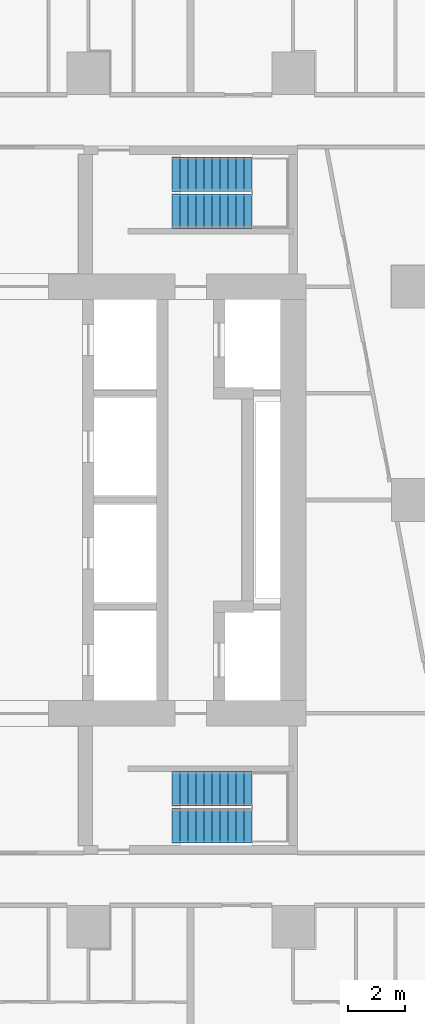
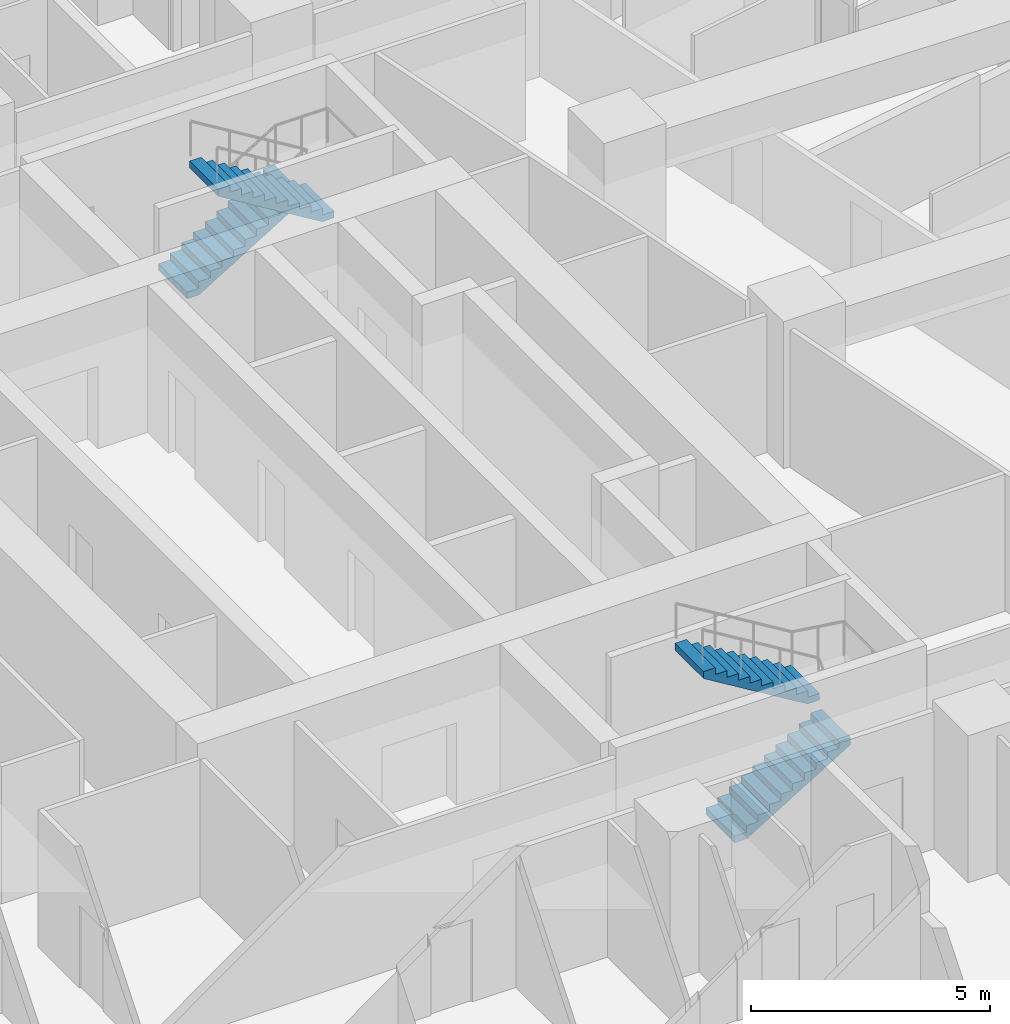
# One storey, part 13 of 15: 4 stair flights, 2 elements without a shape of their own.
"""IFC4 building model written with IfcOpenShell, lengths in metres."""

from ifc_helpers import new_model, si_unit, direction, frame, origin, place, context, subcontext, project, spatial, triangles, material, type_object, element, aggregate, save


model = new_model("IFC4")

# Units and contexts
model_context = context("Model", 3, precision=1e-05, world=origin(), true_north=direction((0.0, 1.0)))
body_context = subcontext(model_context, "Body", "Model", "MODEL_VIEW")
ifc_project = project(units=[si_unit("LENGTHUNIT", "METRE"), si_unit("AREAUNIT", "SQUARE_METRE"), si_unit("VOLUMEUNIT", "CUBIC_METRE"), si_unit("PLANEANGLEUNIT", "RADIAN"), si_unit("MASSUNIT", "GRAM", prefix="KILO")], contexts=[model_context])

# Site, building, storey
site_placement = place(None, origin())
site = spatial("IfcSite", under=ifc_project, at=site_placement, CompositionType="ELEMENT")
building_placement = place(site_placement, origin())
building = spatial("IfcBuilding", under=site, at=building_placement, Name="Sheger Commons Tower", CompositionType="ELEMENT")
storey_placement = place(building_placement, frame((0.0, 0.0, 147.050048828125)))
storey = spatial("IfcBuildingStorey", under=building, at=storey_placement, Name="L37", CompositionType="ELEMENT", Elevation=147.050048828125)

# Stair, stair flights
ifc_material_1 = material(Name="Concrete C35/45", Category="concrete")
stair_type = type_object("IfcStairType", Name="HALF-TURN STAIR 1200 RISE 3750", PredefinedType="HALF_TURN_STAIR", material=ifc_material_1)
stair_1_placement = place(storey_placement, origin())
stair_1 = element("IfcStair", 1, at=stair_1_placement, inside=storey, type_object=stair_type, Name="Stair S1 L37", PredefinedType="HALF_TURN_STAIR")
ifc_material_2 = material(Name="Concrete C35/45", Category="concrete")
stair_flight_type = type_object("IfcStairFlightType", Name="STAIR FLIGHT 1200 11 RISERS OF 170", PredefinedType="STRAIGHT", material=ifc_material_2)
stair_flight_1_placement = place(storey_placement, frame((24.550048828125, 11.050048828125, 0.0), z_axis=(0.0, 0.0, 1.0), x_axis=(1.0, 0.0, 0.0)))
stair_flight_1 = element("IfcStairFlight", 2, at=stair_flight_1_placement, type_object=stair_flight_type, Name="S1 flight 1", NumberOfRisers=11, NumberOfTreads=10, PredefinedType="STRAIGHT", RiserHeight=0.170454545, TreadLength=0.28, context=body_context, shape_type="Tessellation", body=[
    triangles([(0.0, 0.5999755859375, 0.0), (0.0, 0.5999755859375, 0.17041015625), (0.280029296875, 0.5999755859375, 0.17041015625), (0.280029296875, 0.5999755859375, 0.3408203125), (0.56005859375, 0.5999755859375, 0.3408203125), (0.56005859375, 0.5999755859375, 0.511474609375), (0.840087890625, 0.5999755859375, 0.511474609375), (0.840087890625, 0.5999755859375, 0.681884765625), (1.1201171875, 0.5999755859375, 0.681884765625), (1.1201171875, 0.5999755859375, 0.852294921875), (1.39990234375, 0.5999755859375, 0.852294921875), (1.39990234375, 0.5999755859375, 1.022705078125), (1.679931640625, 0.5999755859375, 1.022705078125), (1.679931640625, 0.5999755859375, 1.193115234375), (1.9599609375, 0.5999755859375, 1.193115234375), (1.9599609375, 0.5999755859375, 1.363525390625), (2.239990234375, 0.5999755859375, 1.363525390625), (2.239990234375, 0.5999755859375, 1.5341796875), (2.52001953125, 0.5999755859375, 1.5341796875), (2.52001953125, 0.5999755859375, 1.70458984375), (2.800048828125, 0.5999755859375, 1.70458984375), (2.800048828125, 0.5999755859375, 1.529052734375), (0.288330078125, 0.5999755859375, 0.0), (0.0, -0.5999755859375, 0.0), (0.0, -0.5999755859375, 0.17041015625), (0.280029296875, -0.5999755859375, 0.17041015625), (0.280029296875, -0.5999755859375, 0.3408203125), (0.56005859375, -0.5999755859375, 0.3408203125), (0.56005859375, -0.5999755859375, 0.511474609375), (0.840087890625, -0.5999755859375, 0.511474609375), (0.840087890625, -0.5999755859375, 0.681884765625), (1.1201171875, -0.5999755859375, 0.681884765625), (1.1201171875, -0.5999755859375, 0.852294921875), (1.39990234375, -0.5999755859375, 0.852294921875), (1.39990234375, -0.5999755859375, 1.022705078125), (1.679931640625, -0.5999755859375, 1.022705078125), (1.679931640625, -0.5999755859375, 1.193115234375), (1.9599609375, -0.5999755859375, 1.193115234375), (1.9599609375, -0.5999755859375, 1.363525390625), (2.239990234375, -0.5999755859375, 1.363525390625), (2.239990234375, -0.5999755859375, 1.5341796875), (2.52001953125, -0.5999755859375, 1.5341796875), (2.52001953125, -0.5999755859375, 1.70458984375), (2.800048828125, -0.5999755859375, 1.70458984375), (2.800048828125, -0.5999755859375, 1.529052734375), (0.288330078125, -0.5999755859375, 0.0), (0.0, 0.0, 0.085205078125), (0.1400146484375, 0.0, 0.17041015625), (0.280029296875, 0.0, 0.255615234375), (0.4200439453125, 0.0, 0.3408203125), (0.56005859375, 0.0, 0.4261474609375), (0.7000732421875, 0.0, 0.511474609375), (0.840087890625, 0.0, 0.5966796875), (0.9801025390625, 0.0, 0.681884765625), (1.1201171875, 0.0, 0.76708984375), (1.260009765625, 0.0, 0.852294921875), (1.39990234375, 0.0, 0.9375), (1.5399169921875, 0.0, 1.022705078125), (1.679931640625, 0.0, 1.10791015625), (1.8199462890625, 0.0, 1.193115234375), (1.9599609375, 0.0, 1.2783203125), (2.0999755859375, 0.0, 1.363525390625), (2.239990234375, 0.0, 1.4488525390625), (2.3800048828125, 0.0, 1.5341796875), (2.52001953125, 0.0, 1.619384765625), (2.6600341796875, 0.0, 1.70458984375), (2.800048828125, 0.0, 1.6168212890625), (1.544189453125, 0.0, 0.7645263671875), (0.1441650390625, 0.0, 0.0)], [[1, 22, 23], [24, 46, 45], [22, 20, 21], [45, 44, 43], [22, 19, 20], [45, 43, 42], [22, 18, 19], [45, 42, 41], [22, 17, 18], [45, 41, 40], [17, 15, 16], [40, 39, 38], [22, 15, 17], [45, 40, 38], [15, 13, 14], [38, 37, 36], [22, 13, 15], [45, 38, 36], [13, 11, 12], [36, 35, 34], [22, 11, 13], [45, 36, 34], [11, 9, 10], [34, 33, 32], [22, 9, 11], [45, 34, 32], [9, 7, 8], [32, 31, 30], [22, 7, 9], [45, 32, 30], [7, 5, 6], [30, 29, 28], [22, 5, 7], [45, 30, 28], [5, 3, 4], [28, 27, 26], [22, 3, 5], [45, 28, 26], [1, 3, 22], [24, 45, 26], [3, 1, 2], [26, 25, 24], [1, 47, 2], [2, 47, 25], [25, 47, 24], [24, 47, 1], [2, 48, 3], [3, 48, 26], [26, 48, 25], [25, 48, 2], [3, 49, 4], [4, 49, 27], [27, 49, 26], [26, 49, 3], [4, 50, 5], [5, 50, 28], [28, 50, 27], [27, 50, 4], [5, 51, 6], [6, 51, 29], [29, 51, 28], [28, 51, 5], [6, 52, 7], [7, 52, 30], [30, 52, 29], [29, 52, 6], [7, 53, 8], [8, 53, 31], [31, 53, 30], [30, 53, 7], [8, 54, 9], [9, 54, 32], [32, 54, 31], [31, 54, 8], [9, 55, 10], [10, 55, 33], [33, 55, 32], [32, 55, 9], [10, 56, 11], [11, 56, 34], [34, 56, 33], [33, 56, 10], [11, 57, 12], [12, 57, 35], [35, 57, 34], [34, 57, 11], [12, 58, 13], [13, 58, 36], [36, 58, 35], [35, 58, 12], [13, 59, 14], [14, 59, 37], [37, 59, 36], [36, 59, 13], [14, 60, 15], [15, 60, 38], [38, 60, 37], [37, 60, 14], [15, 61, 16], [16, 61, 39], [39, 61, 38], [38, 61, 15], [16, 62, 17], [17, 62, 40], [40, 62, 39], [39, 62, 16], [17, 63, 18], [18, 63, 41], [41, 63, 40], [40, 63, 17], [18, 64, 19], [19, 64, 42], [42, 64, 41], [41, 64, 18], [19, 65, 20], [20, 65, 43], [43, 65, 42], [42, 65, 19], [20, 66, 21], [21, 66, 44], [44, 66, 43], [43, 66, 20], [21, 67, 22], [22, 67, 45], [45, 67, 44], [44, 67, 21], [22, 68, 23], [23, 68, 46], [46, 68, 45], [45, 68, 22], [23, 69, 1], [1, 69, 24], [24, 69, 46], [46, 69, 23]], closed=True),
])
stair_flight_2_placement = place(storey_placement, frame((27.35009765625, 12.35009765625, 1.875), z_axis=(0.0, 0.0, 1.0), x_axis=(-1.0, 0.0, 0.0)))
stair_flight_2 = element("IfcStairFlight", 3, at=stair_flight_2_placement, type_object=stair_flight_type, Name="S1 flight 2", NumberOfRisers=11, NumberOfTreads=10, PredefinedType="STRAIGHT", RiserHeight=0.170454545, TreadLength=0.28, context=body_context, shape_type="Tessellation", body=[
    triangles([(0.0, 0.5999755859375, 0.0), (0.0, 0.5999755859375, 0.17041015625), (0.280029296875, 0.5999755859375, 0.17041015625), (0.280029296875, 0.5999755859375, 0.3408203125), (0.56005859375, 0.5999755859375, 0.3408203125), (0.56005859375, 0.5999755859375, 0.511474609375), (0.840087890625, 0.5999755859375, 0.511474609375), (0.840087890625, 0.5999755859375, 0.681884765625), (1.1201171875, 0.5999755859375, 0.681884765625), (1.1201171875, 0.5999755859375, 0.852294921875), (1.39990234375, 0.5999755859375, 0.852294921875), (1.39990234375, 0.5999755859375, 1.022705078125), (1.679931640625, 0.5999755859375, 1.022705078125), (1.679931640625, 0.5999755859375, 1.193115234375), (1.9599609375, 0.5999755859375, 1.193115234375), (1.9599609375, 0.5999755859375, 1.363525390625), (2.239990234375, 0.5999755859375, 1.363525390625), (2.239990234375, 0.5999755859375, 1.5341796875), (2.52001953125, 0.5999755859375, 1.5341796875), (2.52001953125, 0.5999755859375, 1.70458984375), (2.800048828125, 0.5999755859375, 1.70458984375), (2.800048828125, 0.5999755859375, 1.529052734375), (0.288330078125, 0.5999755859375, 0.0), (0.0, -0.5999755859375, 0.0), (0.0, -0.5999755859375, 0.17041015625), (0.280029296875, -0.5999755859375, 0.17041015625), (0.280029296875, -0.5999755859375, 0.3408203125), (0.56005859375, -0.5999755859375, 0.3408203125), (0.56005859375, -0.5999755859375, 0.511474609375), (0.840087890625, -0.5999755859375, 0.511474609375), (0.840087890625, -0.5999755859375, 0.681884765625), (1.1201171875, -0.5999755859375, 0.681884765625), (1.1201171875, -0.5999755859375, 0.852294921875), (1.39990234375, -0.5999755859375, 0.852294921875), (1.39990234375, -0.5999755859375, 1.022705078125), (1.679931640625, -0.5999755859375, 1.022705078125), (1.679931640625, -0.5999755859375, 1.193115234375), (1.9599609375, -0.5999755859375, 1.193115234375), (1.9599609375, -0.5999755859375, 1.363525390625), (2.239990234375, -0.5999755859375, 1.363525390625), (2.239990234375, -0.5999755859375, 1.5341796875), (2.52001953125, -0.5999755859375, 1.5341796875), (2.52001953125, -0.5999755859375, 1.70458984375), (2.800048828125, -0.5999755859375, 1.70458984375), (2.800048828125, -0.5999755859375, 1.529052734375), (0.288330078125, -0.5999755859375, 0.0), (0.0, 0.0, 0.085205078125), (0.1400146484375, 0.0, 0.17041015625), (0.280029296875, 0.0, 0.255615234375), (0.4200439453125, 0.0, 0.3408203125), (0.56005859375, 0.0, 0.4261474609375), (0.7000732421875, 0.0, 0.511474609375), (0.840087890625, 0.0, 0.5966796875), (0.9801025390625, 0.0, 0.681884765625), (1.1201171875, 0.0, 0.76708984375), (1.260009765625, 0.0, 0.852294921875), (1.39990234375, 0.0, 0.9375), (1.5399169921875, 0.0, 1.022705078125), (1.679931640625, 0.0, 1.10791015625), (1.8199462890625, 0.0, 1.193115234375), (1.9599609375, 0.0, 1.2783203125), (2.0999755859375, 0.0, 1.363525390625), (2.239990234375, 0.0, 1.4488525390625), (2.3800048828125, 0.0, 1.5341796875), (2.52001953125, 0.0, 1.619384765625), (2.6600341796875, 0.0, 1.70458984375), (2.800048828125, 0.0, 1.6168212890625), (1.544189453125, 0.0, 0.7645263671875), (0.1441650390625, 0.0, 0.0)], [[1, 22, 23], [24, 46, 45], [22, 20, 21], [45, 44, 43], [22, 19, 20], [45, 43, 42], [22, 18, 19], [45, 42, 41], [22, 17, 18], [45, 41, 40], [17, 15, 16], [40, 39, 38], [22, 15, 17], [45, 40, 38], [15, 13, 14], [38, 37, 36], [22, 13, 15], [45, 38, 36], [13, 11, 12], [36, 35, 34], [22, 11, 13], [45, 36, 34], [11, 9, 10], [34, 33, 32], [22, 9, 11], [45, 34, 32], [9, 7, 8], [32, 31, 30], [22, 7, 9], [45, 32, 30], [7, 5, 6], [30, 29, 28], [22, 5, 7], [45, 30, 28], [5, 3, 4], [28, 27, 26], [22, 3, 5], [45, 28, 26], [1, 3, 22], [24, 45, 26], [3, 1, 2], [26, 25, 24], [1, 47, 2], [2, 47, 25], [25, 47, 24], [24, 47, 1], [2, 48, 3], [3, 48, 26], [26, 48, 25], [25, 48, 2], [3, 49, 4], [4, 49, 27], [27, 49, 26], [26, 49, 3], [4, 50, 5], [5, 50, 28], [28, 50, 27], [27, 50, 4], [5, 51, 6], [6, 51, 29], [29, 51, 28], [28, 51, 5], [6, 52, 7], [7, 52, 30], [30, 52, 29], [29, 52, 6], [7, 53, 8], [8, 53, 31], [31, 53, 30], [30, 53, 7], [8, 54, 9], [9, 54, 32], [32, 54, 31], [31, 54, 8], [9, 55, 10], [10, 55, 33], [33, 55, 32], [32, 55, 9], [10, 56, 11], [11, 56, 34], [34, 56, 33], [33, 56, 10], [11, 57, 12], [12, 57, 35], [35, 57, 34], [34, 57, 11], [12, 58, 13], [13, 58, 36], [36, 58, 35], [35, 58, 12], [13, 59, 14], [14, 59, 37], [37, 59, 36], [36, 59, 13], [14, 60, 15], [15, 60, 38], [38, 60, 37], [37, 60, 14], [15, 61, 16], [16, 61, 39], [39, 61, 38], [38, 61, 15], [16, 62, 17], [17, 62, 40], [40, 62, 39], [39, 62, 16], [17, 63, 18], [18, 63, 41], [41, 63, 40], [40, 63, 17], [18, 64, 19], [19, 64, 42], [42, 64, 41], [41, 64, 18], [19, 65, 20], [20, 65, 43], [43, 65, 42], [42, 65, 19], [20, 66, 21], [21, 66, 44], [44, 66, 43], [43, 66, 20], [21, 67, 22], [22, 67, 45], [45, 67, 44], [44, 67, 21], [22, 68, 23], [23, 68, 46], [46, 68, 45], [45, 68, 22], [23, 69, 1], [1, 69, 24], [24, 69, 46], [46, 69, 23]], closed=True),
])
aggregate(stair_1, [stair_flight_1, stair_flight_2])

stair_2_placement = place(storey_placement, origin())
stair_2 = element("IfcStair", 4, at=stair_2_placement, inside=storey, type_object=stair_type, Name="Stair S2 L37", PredefinedType="HALF_TURN_STAIR")
stair_flight_3_placement = place(storey_placement, frame((24.550048828125, 33.949951171875, 0.0), z_axis=(0.0, 0.0, 1.0), x_axis=(1.0, 0.0, 0.0)))
stair_flight_3 = element("IfcStairFlight", 5, at=stair_flight_3_placement, type_object=stair_flight_type, Name="S2 flight 1", NumberOfRisers=11, NumberOfTreads=10, PredefinedType="STRAIGHT", RiserHeight=0.170454545, TreadLength=0.28, context=body_context, shape_type="Tessellation", body=[
    triangles([(0.0, 0.5999755859375, 0.0), (0.0, 0.5999755859375, 0.17041015625), (0.280029296875, 0.5999755859375, 0.17041015625), (0.280029296875, 0.5999755859375, 0.3408203125), (0.56005859375, 0.5999755859375, 0.3408203125), (0.56005859375, 0.5999755859375, 0.511474609375), (0.840087890625, 0.5999755859375, 0.511474609375), (0.840087890625, 0.5999755859375, 0.681884765625), (1.1201171875, 0.5999755859375, 0.681884765625), (1.1201171875, 0.5999755859375, 0.852294921875), (1.39990234375, 0.5999755859375, 0.852294921875), (1.39990234375, 0.5999755859375, 1.022705078125), (1.679931640625, 0.5999755859375, 1.022705078125), (1.679931640625, 0.5999755859375, 1.193115234375), (1.9599609375, 0.5999755859375, 1.193115234375), (1.9599609375, 0.5999755859375, 1.363525390625), (2.239990234375, 0.5999755859375, 1.363525390625), (2.239990234375, 0.5999755859375, 1.5341796875), (2.52001953125, 0.5999755859375, 1.5341796875), (2.52001953125, 0.5999755859375, 1.70458984375), (2.800048828125, 0.5999755859375, 1.70458984375), (2.800048828125, 0.5999755859375, 1.529052734375), (0.288330078125, 0.5999755859375, 0.0), (0.0, -0.5999755859375, 0.0), (0.0, -0.5999755859375, 0.17041015625), (0.280029296875, -0.5999755859375, 0.17041015625), (0.280029296875, -0.5999755859375, 0.3408203125), (0.56005859375, -0.5999755859375, 0.3408203125), (0.56005859375, -0.5999755859375, 0.511474609375), (0.840087890625, -0.5999755859375, 0.511474609375), (0.840087890625, -0.5999755859375, 0.681884765625), (1.1201171875, -0.5999755859375, 0.681884765625), (1.1201171875, -0.5999755859375, 0.852294921875), (1.39990234375, -0.5999755859375, 0.852294921875), (1.39990234375, -0.5999755859375, 1.022705078125), (1.679931640625, -0.5999755859375, 1.022705078125), (1.679931640625, -0.5999755859375, 1.193115234375), (1.9599609375, -0.5999755859375, 1.193115234375), (1.9599609375, -0.5999755859375, 1.363525390625), (2.239990234375, -0.5999755859375, 1.363525390625), (2.239990234375, -0.5999755859375, 1.5341796875), (2.52001953125, -0.5999755859375, 1.5341796875), (2.52001953125, -0.5999755859375, 1.70458984375), (2.800048828125, -0.5999755859375, 1.70458984375), (2.800048828125, -0.5999755859375, 1.529052734375), (0.288330078125, -0.5999755859375, 0.0), (0.0, 0.0, 0.085205078125), (0.1400146484375, 0.0, 0.17041015625), (0.280029296875, 0.0, 0.255615234375), (0.4200439453125, 0.0, 0.3408203125), (0.56005859375, 0.0, 0.4261474609375), (0.7000732421875, 0.0, 0.511474609375), (0.840087890625, 0.0, 0.5966796875), (0.9801025390625, 0.0, 0.681884765625), (1.1201171875, 0.0, 0.76708984375), (1.260009765625, 0.0, 0.852294921875), (1.39990234375, 0.0, 0.9375), (1.5399169921875, 0.0, 1.022705078125), (1.679931640625, 0.0, 1.10791015625), (1.8199462890625, 0.0, 1.193115234375), (1.9599609375, 0.0, 1.2783203125), (2.0999755859375, 0.0, 1.363525390625), (2.239990234375, 0.0, 1.4488525390625), (2.3800048828125, 0.0, 1.5341796875), (2.52001953125, 0.0, 1.619384765625), (2.6600341796875, 0.0, 1.70458984375), (2.800048828125, 0.0, 1.6168212890625), (1.544189453125, 0.0, 0.7645263671875), (0.1441650390625, 0.0, 0.0)], [[1, 22, 23], [24, 46, 45], [22, 20, 21], [45, 44, 43], [22, 19, 20], [45, 43, 42], [22, 18, 19], [45, 42, 41], [22, 17, 18], [45, 41, 40], [17, 15, 16], [40, 39, 38], [22, 15, 17], [45, 40, 38], [15, 13, 14], [38, 37, 36], [22, 13, 15], [45, 38, 36], [13, 11, 12], [36, 35, 34], [22, 11, 13], [45, 36, 34], [11, 9, 10], [34, 33, 32], [22, 9, 11], [45, 34, 32], [9, 7, 8], [32, 31, 30], [22, 7, 9], [45, 32, 30], [7, 5, 6], [30, 29, 28], [22, 5, 7], [45, 30, 28], [5, 3, 4], [28, 27, 26], [22, 3, 5], [45, 28, 26], [1, 3, 22], [24, 45, 26], [3, 1, 2], [26, 25, 24], [1, 47, 2], [2, 47, 25], [25, 47, 24], [24, 47, 1], [2, 48, 3], [3, 48, 26], [26, 48, 25], [25, 48, 2], [3, 49, 4], [4, 49, 27], [27, 49, 26], [26, 49, 3], [4, 50, 5], [5, 50, 28], [28, 50, 27], [27, 50, 4], [5, 51, 6], [6, 51, 29], [29, 51, 28], [28, 51, 5], [6, 52, 7], [7, 52, 30], [30, 52, 29], [29, 52, 6], [7, 53, 8], [8, 53, 31], [31, 53, 30], [30, 53, 7], [8, 54, 9], [9, 54, 32], [32, 54, 31], [31, 54, 8], [9, 55, 10], [10, 55, 33], [33, 55, 32], [32, 55, 9], [10, 56, 11], [11, 56, 34], [34, 56, 33], [33, 56, 10], [11, 57, 12], [12, 57, 35], [35, 57, 34], [34, 57, 11], [12, 58, 13], [13, 58, 36], [36, 58, 35], [35, 58, 12], [13, 59, 14], [14, 59, 37], [37, 59, 36], [36, 59, 13], [14, 60, 15], [15, 60, 38], [38, 60, 37], [37, 60, 14], [15, 61, 16], [16, 61, 39], [39, 61, 38], [38, 61, 15], [16, 62, 17], [17, 62, 40], [40, 62, 39], [39, 62, 16], [17, 63, 18], [18, 63, 41], [41, 63, 40], [40, 63, 17], [18, 64, 19], [19, 64, 42], [42, 64, 41], [41, 64, 18], [19, 65, 20], [20, 65, 43], [43, 65, 42], [42, 65, 19], [20, 66, 21], [21, 66, 44], [44, 66, 43], [43, 66, 20], [21, 67, 22], [22, 67, 45], [45, 67, 44], [44, 67, 21], [22, 68, 23], [23, 68, 46], [46, 68, 45], [45, 68, 22], [23, 69, 1], [1, 69, 24], [24, 69, 46], [46, 69, 23]], closed=True),
])
stair_flight_4_placement = place(storey_placement, frame((27.35009765625, 32.64990234375, 1.875), z_axis=(0.0, 0.0, 1.0), x_axis=(-1.0, 0.0, 0.0)))
stair_flight_4 = element("IfcStairFlight", 6, at=stair_flight_4_placement, type_object=stair_flight_type, Name="S2 flight 2", NumberOfRisers=11, NumberOfTreads=10, PredefinedType="STRAIGHT", RiserHeight=0.170454545, TreadLength=0.28, context=body_context, shape_type="Tessellation", body=[
    triangles([(0.0, 0.5999755859375, 0.0), (0.0, 0.5999755859375, 0.17041015625), (0.280029296875, 0.5999755859375, 0.17041015625), (0.280029296875, 0.5999755859375, 0.3408203125), (0.56005859375, 0.5999755859375, 0.3408203125), (0.56005859375, 0.5999755859375, 0.511474609375), (0.840087890625, 0.5999755859375, 0.511474609375), (0.840087890625, 0.5999755859375, 0.681884765625), (1.1201171875, 0.5999755859375, 0.681884765625), (1.1201171875, 0.5999755859375, 0.852294921875), (1.39990234375, 0.5999755859375, 0.852294921875), (1.39990234375, 0.5999755859375, 1.022705078125), (1.679931640625, 0.5999755859375, 1.022705078125), (1.679931640625, 0.5999755859375, 1.193115234375), (1.9599609375, 0.5999755859375, 1.193115234375), (1.9599609375, 0.5999755859375, 1.363525390625), (2.239990234375, 0.5999755859375, 1.363525390625), (2.239990234375, 0.5999755859375, 1.5341796875), (2.52001953125, 0.5999755859375, 1.5341796875), (2.52001953125, 0.5999755859375, 1.70458984375), (2.800048828125, 0.5999755859375, 1.70458984375), (2.800048828125, 0.5999755859375, 1.529052734375), (0.288330078125, 0.5999755859375, 0.0), (0.0, -0.5999755859375, 0.0), (0.0, -0.5999755859375, 0.17041015625), (0.280029296875, -0.5999755859375, 0.17041015625), (0.280029296875, -0.5999755859375, 0.3408203125), (0.56005859375, -0.5999755859375, 0.3408203125), (0.56005859375, -0.5999755859375, 0.511474609375), (0.840087890625, -0.5999755859375, 0.511474609375), (0.840087890625, -0.5999755859375, 0.681884765625), (1.1201171875, -0.5999755859375, 0.681884765625), (1.1201171875, -0.5999755859375, 0.852294921875), (1.39990234375, -0.5999755859375, 0.852294921875), (1.39990234375, -0.5999755859375, 1.022705078125), (1.679931640625, -0.5999755859375, 1.022705078125), (1.679931640625, -0.5999755859375, 1.193115234375), (1.9599609375, -0.5999755859375, 1.193115234375), (1.9599609375, -0.5999755859375, 1.363525390625), (2.239990234375, -0.5999755859375, 1.363525390625), (2.239990234375, -0.5999755859375, 1.5341796875), (2.52001953125, -0.5999755859375, 1.5341796875), (2.52001953125, -0.5999755859375, 1.70458984375), (2.800048828125, -0.5999755859375, 1.70458984375), (2.800048828125, -0.5999755859375, 1.529052734375), (0.288330078125, -0.5999755859375, 0.0), (0.0, 0.0, 0.085205078125), (0.1400146484375, 0.0, 0.17041015625), (0.280029296875, 0.0, 0.255615234375), (0.4200439453125, 0.0, 0.3408203125), (0.56005859375, 0.0, 0.4261474609375), (0.7000732421875, 0.0, 0.511474609375), (0.840087890625, 0.0, 0.5966796875), (0.9801025390625, 0.0, 0.681884765625), (1.1201171875, 0.0, 0.76708984375), (1.260009765625, 0.0, 0.852294921875), (1.39990234375, 0.0, 0.9375), (1.5399169921875, 0.0, 1.022705078125), (1.679931640625, 0.0, 1.10791015625), (1.8199462890625, 0.0, 1.193115234375), (1.9599609375, 0.0, 1.2783203125), (2.0999755859375, 0.0, 1.363525390625), (2.239990234375, 0.0, 1.4488525390625), (2.3800048828125, 0.0, 1.5341796875), (2.52001953125, 0.0, 1.619384765625), (2.6600341796875, 0.0, 1.70458984375), (2.800048828125, 0.0, 1.6168212890625), (1.544189453125, 0.0, 0.7645263671875), (0.1441650390625, 0.0, 0.0)], [[1, 22, 23], [24, 46, 45], [22, 20, 21], [45, 44, 43], [22, 19, 20], [45, 43, 42], [22, 18, 19], [45, 42, 41], [22, 17, 18], [45, 41, 40], [17, 15, 16], [40, 39, 38], [22, 15, 17], [45, 40, 38], [15, 13, 14], [38, 37, 36], [22, 13, 15], [45, 38, 36], [13, 11, 12], [36, 35, 34], [22, 11, 13], [45, 36, 34], [11, 9, 10], [34, 33, 32], [22, 9, 11], [45, 34, 32], [9, 7, 8], [32, 31, 30], [22, 7, 9], [45, 32, 30], [7, 5, 6], [30, 29, 28], [22, 5, 7], [45, 30, 28], [5, 3, 4], [28, 27, 26], [22, 3, 5], [45, 28, 26], [1, 3, 22], [24, 45, 26], [3, 1, 2], [26, 25, 24], [1, 47, 2], [2, 47, 25], [25, 47, 24], [24, 47, 1], [2, 48, 3], [3, 48, 26], [26, 48, 25], [25, 48, 2], [3, 49, 4], [4, 49, 27], [27, 49, 26], [26, 49, 3], [4, 50, 5], [5, 50, 28], [28, 50, 27], [27, 50, 4], [5, 51, 6], [6, 51, 29], [29, 51, 28], [28, 51, 5], [6, 52, 7], [7, 52, 30], [30, 52, 29], [29, 52, 6], [7, 53, 8], [8, 53, 31], [31, 53, 30], [30, 53, 7], [8, 54, 9], [9, 54, 32], [32, 54, 31], [31, 54, 8], [9, 55, 10], [10, 55, 33], [33, 55, 32], [32, 55, 9], [10, 56, 11], [11, 56, 34], [34, 56, 33], [33, 56, 10], [11, 57, 12], [12, 57, 35], [35, 57, 34], [34, 57, 11], [12, 58, 13], [13, 58, 36], [36, 58, 35], [35, 58, 12], [13, 59, 14], [14, 59, 37], [37, 59, 36], [36, 59, 13], [14, 60, 15], [15, 60, 38], [38, 60, 37], [37, 60, 14], [15, 61, 16], [16, 61, 39], [39, 61, 38], [38, 61, 15], [16, 62, 17], [17, 62, 40], [40, 62, 39], [39, 62, 16], [17, 63, 18], [18, 63, 41], [41, 63, 40], [40, 63, 17], [18, 64, 19], [19, 64, 42], [42, 64, 41], [41, 64, 18], [19, 65, 20], [20, 65, 43], [43, 65, 42], [42, 65, 19], [20, 66, 21], [21, 66, 44], [44, 66, 43], [43, 66, 20], [21, 67, 22], [22, 67, 45], [45, 67, 44], [44, 67, 21], [22, 68, 23], [23, 68, 46], [46, 68, 45], [45, 68, 22], [23, 69, 1], [1, 69, 24], [24, 69, 46], [46, 69, 23]], closed=True),
])
aggregate(stair_2, [stair_flight_3, stair_flight_4])

save(model, "model.ifc")
